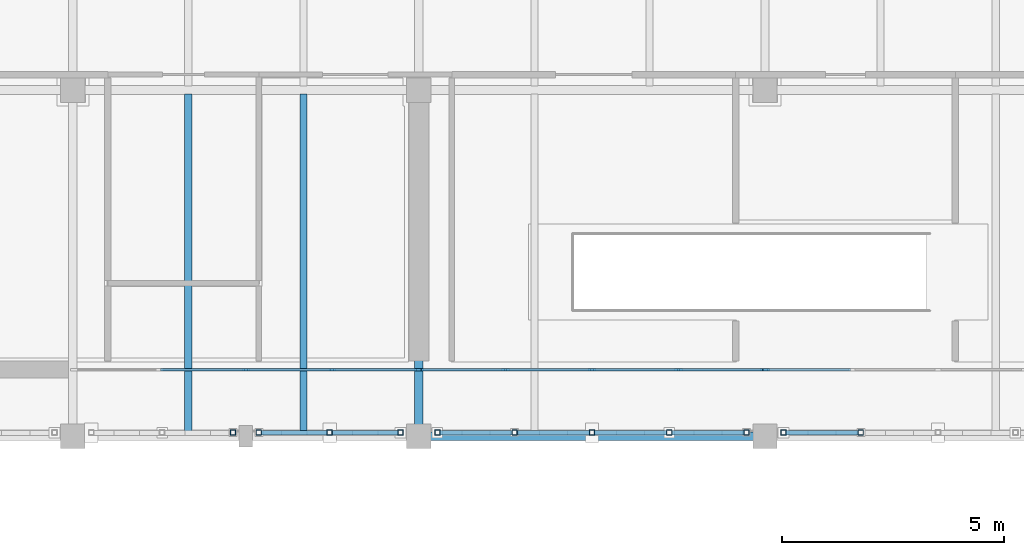
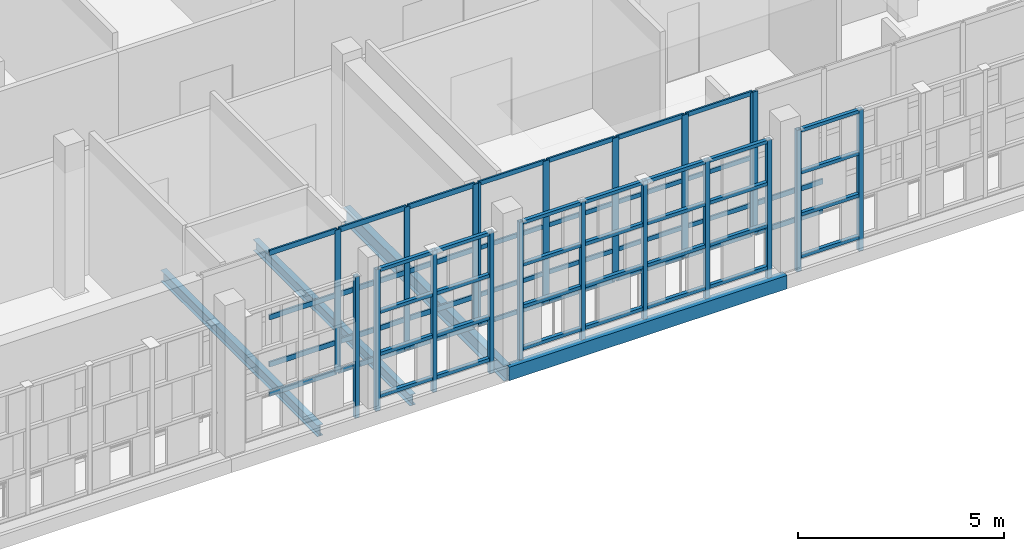
# One storey, part 56 of 119: 78 members, 4 beams, 3 elements without a shape of their own.
"""IFC4 building model written with IfcOpenShell, lengths in metres."""

from ifc_helpers import new_model, si_unit, direction, frame, origin, origin_2d, place, context, subcontext, project, spatial, rectangle, hollow_rectangle, i_section, extrude, material, layer, layer_set, material_profile, profile_set, type_object, element, aggregate, save


model = new_model("IFC4")

# Units and contexts
model_context = context("Model", 3, precision=1e-05, world=origin(), true_north=direction((0.0, 1.0)))
body_context = subcontext(model_context, "Body", "Model", "MODEL_VIEW")
ifc_project = project(units=[si_unit("LENGTHUNIT", "METRE"), si_unit("AREAUNIT", "SQUARE_METRE"), si_unit("VOLUMEUNIT", "CUBIC_METRE"), si_unit("PLANEANGLEUNIT", "RADIAN"), si_unit("MASSUNIT", "GRAM", prefix="KILO")], contexts=[model_context])

# Site, building, storey
site_placement = place(None, origin())
site = spatial("IfcSite", under=ifc_project, at=site_placement, CompositionType="ELEMENT")
building_placement = place(site_placement, origin())
building = spatial("IfcBuilding", under=site, at=building_placement, Name="Celorna Specialist Clinic", CompositionType="ELEMENT")
storey_placement = place(building_placement, frame((0.0, 0.0, 9.60009765625)))
storey = spatial("IfcBuildingStorey", under=building, at=storey_placement, Name="L02", CompositionType="ELEMENT", Elevation=9.60009765625)

# Beams
ifc_material_1 = material(Name="Steel S355", Category="steel")
ifc_material_profile_1 = material_profile(ifc_material_1, i_section(OverallWidth=0.18994140625, OverallDepth=0.449951171875, WebThickness=0.009521484375, FlangeThickness=0.0146484375, at=origin_2d()), Name="IPE 450")
ifc_profile_set_1 = profile_set([ifc_material_profile_1], Name="Steel S355")
beam_type_1 = type_object("IfcBeamType", Name="BM-09", PredefinedType="BEAM", material=ifc_profile_set_1)
beam_1_placement = place(storey_placement, frame((101.39990234375, 96.5, -0.485107421875), z_axis=(0.0, 1.0, 0.0), x_axis=(-1.0, 0.0, 0.0)))
element("IfcBeam", 1, at=beam_1_placement, inside=storey, type_object=beam_type_1, Name="Transverse girder BM-09 #1131", PredefinedType="BEAM", context=body_context, shape_type="SweptSolid", body=[
    extrude(i_section(OverallWidth=0.18994140625, OverallDepth=0.449951171875, WebThickness=0.009521484375, FlangeThickness=0.0146484375, at=origin_2d()), origin(), (0.0, 0.0, 1.0), 7.800048828125),
])
ifc_material_profile_2 = material_profile(ifc_material_1, i_section(OverallWidth=0.159912109375, OverallDepth=0.330078125, WebThickness=0.007568359375, FlangeThickness=0.011474609375, at=origin_2d()), Name="IPE 330")
ifc_profile_set_2 = profile_set([ifc_material_profile_2], Name="Steel S355")
beam_type_2 = type_object("IfcBeamType", Name="BM-12", PredefinedType="JOIST", material=ifc_profile_set_2)
for number, where, z_axis, x_axis, name in (
    (2, (96.199951171875, 96.587890625, -0.425048828125), (0.0, 1.0, 0.0), (-1.0, 0.0, 0.0), "Secondary floor joist BM-12 #1177"),
    (3, (98.800048828125, 96.587890625, -0.425048828125), (0.0, 1.0, 0.0), (-1.0, 0.0, 0.0), "Secondary floor joist BM-12 #1178"),
):
    element("IfcBeam", number, at=place(storey_placement, frame(where, z_axis=z_axis, x_axis=x_axis)), inside=storey, type_object=beam_type_2, Name=name, PredefinedType="JOIST", context=body_context, shape_type="SweptSolid", body=[
        extrude(i_section(OverallWidth=0.159912109375, OverallDepth=0.330078125, WebThickness=0.007568359375, FlangeThickness=0.011474609375, at=origin_2d()), origin(), (0.0, 0.0, 1.0), 7.6240234375),
    ])
ifc_material_profile_3 = material_profile(ifc_material_1, hollow_rectangle(XDim=0.199951171875, YDim=0.39990234375, WallThickness=0.011962890625, at=origin_2d()), Name="RHS 200x400x12")
ifc_profile_set_3 = profile_set([ifc_material_profile_3], Name="Steel S355")
beam_type_3 = type_object("IfcBeamType", Name="BM-15", PredefinedType="SPANDREL", material=ifc_profile_set_3)
beam_2_placement = place(storey_placement, frame((101.39990234375, 96.5, -0.460205078125), z_axis=(1.0, 0.0, 0.0), x_axis=(0.0, 1.0, 0.0)))
element("IfcBeam", 4, at=beam_2_placement, inside=storey, type_object=beam_type_3, Name="Spandrel beam BM-15 #1073", PredefinedType="SPANDREL", context=body_context, shape_type="SweptSolid", body=[
    extrude(hollow_rectangle(XDim=0.199951171875, YDim=0.39990234375, WallThickness=0.011962890625, at=origin_2d()), origin(), (0.0, 0.0, 1.0), 7.800048828125),
])

# Members
ifc_material_profile_4 = material_profile(ifc_material_1, hollow_rectangle(XDim=0.1201171875, YDim=0.1201171875, WallThickness=0.008056640625, at=origin_2d()), Name="SHS 120x120x8")
ifc_profile_set_4 = profile_set([ifc_material_profile_4], Name="Steel S355")
member_type_1 = type_object("IfcMemberType", Name="MB-11", PredefinedType="STUD", material=ifc_profile_set_4)
for number, where, z_axis, x_axis, name in (
    (5, (97.2099609375, 96.580078125, -0.360107421875), (0.0, 0.0, 1.0), (1.0, 0.0, 0.0), "Perforated screen steel post #1125"),
    (6, (97.7900390625, 96.580078125, -0.360107421875), (0.0, 0.0, 1.0), (1.0, 0.0, 0.0), "Perforated screen steel post #1134"),
    (7, (99.387451171875, 96.580078125, -0.360107421875), (0.0, 0.0, 1.0), (1.0, 0.0, 0.0), "Perforated screen steel post #1135"),
    (8, (100.985107421875, 96.580078125, -0.360107421875), (0.0, 0.0, 1.0), (1.0, 0.0, 0.0), "Perforated screen steel post #1136"),
    (9, (101.81494140625, 96.580078125, -0.360107421875), (0.0, 0.0, 1.0), (1.0, 0.0, 0.0), "Perforated screen steel post #1145"),
    (10, (103.5576171875, 96.580078125, -0.360107421875), (0.0, 0.0, 1.0), (1.0, 0.0, 0.0), "Perforated screen steel post #1146"),
    (11, (105.300048828125, 96.580078125, -0.360107421875), (0.0, 0.0, 1.0), (1.0, 0.0, 0.0), "Perforated screen steel post #1147"),
    (12, (107.04248046875, 96.580078125, -0.360107421875), (0.0, 0.0, 1.0), (1.0, 0.0, 0.0), "Perforated screen steel post #1148"),
    (13, (108.784912109375, 96.580078125, -0.360107421875), (0.0, 0.0, 1.0), (1.0, 0.0, 0.0), "Perforated screen steel post #1149"),
    (14, (109.614990234375, 96.580078125, -0.360107421875), (0.0, 0.0, 1.0), (1.0, 0.0, 0.0), "Perforated screen steel post #1166"),
    (15, (111.357421875, 96.580078125, -0.360107421875), (0.0, 0.0, 1.0), (1.0, 0.0, 0.0), "Perforated screen steel post #1167"),
):
    element("IfcMember", number, at=place(storey_placement, frame(where, z_axis=z_axis, x_axis=x_axis)), inside=storey, type_object=member_type_1, Name=name, PredefinedType="STUD", context=body_context, shape_type="SweptSolid", body=[
        extrude(hollow_rectangle(XDim=0.1201171875, YDim=0.1201171875, WallThickness=0.008056640625, at=origin_2d()), origin(), (0.0, 0.0, 1.0), 4.199951171875),
    ])
ifc_material_profile_5 = material_profile(ifc_material_1, hollow_rectangle(XDim=0.10009765625, YDim=0.10009765625, WallThickness=0.006103515625, at=origin_2d()), Name="SHS 100x100x6")
ifc_profile_set_5 = profile_set([ifc_material_profile_5], Name="Steel S355")
member_type_2 = type_object("IfcMemberType", Name="MB-12", PredefinedType="STUD", material=ifc_profile_set_5)
for number, where, z_axis, x_axis, name in (
    (16, (97.85009765625, 96.580078125, 0.0498046875), (1.0, 0.0, 0.0), (0.0, 1.0, 0.0), "Perforated screen rail #1137"),
    (17, (97.85009765625, 96.580078125, 1.296630859375), (1.0, 0.0, 0.0), (0.0, 1.0, 0.0), "Perforated screen rail #1138"),
    (18, (97.85009765625, 96.580078125, 2.543212890625), (1.0, 0.0, 0.0), (0.0, 1.0, 0.0), "Perforated screen rail #1139"),
    (19, (97.85009765625, 96.580078125, 3.789794921875), (1.0, 0.0, 0.0), (0.0, 1.0, 0.0), "Perforated screen rail #1140"),
):
    element("IfcMember", number, at=place(storey_placement, frame(where, z_axis=z_axis, x_axis=x_axis)), inside=storey, type_object=member_type_2, Name=name, PredefinedType="STUD", context=body_context, shape_type="SweptSolid", body=[
        extrude(hollow_rectangle(XDim=0.10009765625, YDim=0.10009765625, WallThickness=0.006103515625, at=origin_2d()), origin(), (0.0, 0.0, 1.0), 1.477294921875),
    ])
for number, where, z_axis, x_axis, name in (
    (20, (99.447509765625, 96.580078125, 0.0498046875), (1.0, 0.0, 0.0), (0.0, 1.0, 0.0), "Perforated screen rail #1141"),
    (21, (99.447509765625, 96.580078125, 1.296630859375), (1.0, 0.0, 0.0), (0.0, 1.0, 0.0), "Perforated screen rail #1142"),
    (22, (99.447509765625, 96.580078125, 2.543212890625), (1.0, 0.0, 0.0), (0.0, 1.0, 0.0), "Perforated screen rail #1143"),
    (23, (99.447509765625, 96.580078125, 3.789794921875), (1.0, 0.0, 0.0), (0.0, 1.0, 0.0), "Perforated screen rail #1144"),
):
    element("IfcMember", number, at=place(storey_placement, frame(where, z_axis=z_axis, x_axis=x_axis)), inside=storey, type_object=member_type_2, Name=name, PredefinedType="STUD", context=body_context, shape_type="SweptSolid", body=[
        extrude(hollow_rectangle(XDim=0.10009765625, YDim=0.10009765625, WallThickness=0.006103515625, at=origin_2d()), origin(), (0.0, 0.0, 1.0), 1.4775390625),
    ])
for number, where, z_axis, x_axis, name in (
    (24, (101.875, 96.580078125, 0.0498046875), (1.0, 0.0, 0.0), (0.0, 1.0, 0.0), "Perforated screen rail #1150"),
    (25, (101.875, 96.580078125, 1.296630859375), (1.0, 0.0, 0.0), (0.0, 1.0, 0.0), "Perforated screen rail #1151"),
    (26, (101.875, 96.580078125, 2.543212890625), (1.0, 0.0, 0.0), (0.0, 1.0, 0.0), "Perforated screen rail #1152"),
    (27, (101.875, 96.580078125, 3.789794921875), (1.0, 0.0, 0.0), (0.0, 1.0, 0.0), "Perforated screen rail #1153"),
    (28, (103.617431640625, 96.580078125, 0.0498046875), (1.0, 0.0, 0.0), (0.0, 1.0, 0.0), "Perforated screen rail #1154"),
    (29, (103.617431640625, 96.580078125, 1.296630859375), (1.0, 0.0, 0.0), (0.0, 1.0, 0.0), "Perforated screen rail #1155"),
    (30, (103.617431640625, 96.580078125, 2.543212890625), (1.0, 0.0, 0.0), (0.0, 1.0, 0.0), "Perforated screen rail #1156"),
    (31, (103.617431640625, 96.580078125, 3.789794921875), (1.0, 0.0, 0.0), (0.0, 1.0, 0.0), "Perforated screen rail #1157"),
):
    element("IfcMember", number, at=place(storey_placement, frame(where, z_axis=z_axis, x_axis=x_axis)), inside=storey, type_object=member_type_2, Name=name, PredefinedType="STUD", context=body_context, shape_type="SweptSolid", body=[
        extrude(hollow_rectangle(XDim=0.10009765625, YDim=0.10009765625, WallThickness=0.006103515625, at=origin_2d()), origin(), (0.0, 0.0, 1.0), 1.62255859375),
    ])
for number, where, z_axis, x_axis, name in (
    (32, (105.360107421875, 96.580078125, 0.0498046875), (1.0, 0.0, 0.0), (0.0, 1.0, 0.0), "Perforated screen rail #1158"),
    (33, (105.360107421875, 96.580078125, 1.296630859375), (1.0, 0.0, 0.0), (0.0, 1.0, 0.0), "Perforated screen rail #1159"),
    (34, (105.360107421875, 96.580078125, 2.543212890625), (1.0, 0.0, 0.0), (0.0, 1.0, 0.0), "Perforated screen rail #1160"),
    (35, (105.360107421875, 96.580078125, 3.789794921875), (1.0, 0.0, 0.0), (0.0, 1.0, 0.0), "Perforated screen rail #1161"),
):
    element("IfcMember", number, at=place(storey_placement, frame(where, z_axis=z_axis, x_axis=x_axis)), inside=storey, type_object=member_type_2, Name=name, PredefinedType="STUD", context=body_context, shape_type="SweptSolid", body=[
        extrude(hollow_rectangle(XDim=0.10009765625, YDim=0.10009765625, WallThickness=0.006103515625, at=origin_2d()), origin(), (0.0, 0.0, 1.0), 1.622314453125),
    ])
for number, where, z_axis, x_axis, name in (
    (36, (107.1025390625, 96.580078125, 0.0498046875), (1.0, 0.0, 0.0), (0.0, 1.0, 0.0), "Perforated screen rail #1162"),
    (37, (107.1025390625, 96.580078125, 1.296630859375), (1.0, 0.0, 0.0), (0.0, 1.0, 0.0), "Perforated screen rail #1163"),
    (38, (107.1025390625, 96.580078125, 2.543212890625), (1.0, 0.0, 0.0), (0.0, 1.0, 0.0), "Perforated screen rail #1164"),
    (39, (107.1025390625, 96.580078125, 3.789794921875), (1.0, 0.0, 0.0), (0.0, 1.0, 0.0), "Perforated screen rail #1165"),
    (40, (109.675048828125, 96.580078125, 0.0498046875), (1.0, 0.0, 0.0), (0.0, 1.0, 0.0), "Perforated screen rail #1171"),
    (41, (109.675048828125, 96.580078125, 1.296630859375), (1.0, 0.0, 0.0), (0.0, 1.0, 0.0), "Perforated screen rail #1172"),
    (42, (109.675048828125, 96.580078125, 2.543212890625), (1.0, 0.0, 0.0), (0.0, 1.0, 0.0), "Perforated screen rail #1173"),
    (43, (109.675048828125, 96.580078125, 3.789794921875), (1.0, 0.0, 0.0), (0.0, 1.0, 0.0), "Perforated screen rail #1174"),
):
    element("IfcMember", number, at=place(storey_placement, frame(where, z_axis=z_axis, x_axis=x_axis)), inside=storey, type_object=member_type_2, Name=name, PredefinedType="STUD", context=body_context, shape_type="SweptSolid", body=[
        extrude(hollow_rectangle(XDim=0.10009765625, YDim=0.10009765625, WallThickness=0.006103515625, at=origin_2d()), origin(), (0.0, 0.0, 1.0), 1.62255859375),
    ])

# Curtain wall, members
ifc_material_2 = material(Name="Thermally broken aluminium and solar-control glass curtain wall", Category="aluminium")
ifc_layer_1 = layer(ifc_material_2, 0.159912109375, Name="Thermally broken aluminium and solar-control glass curtain wall")
ifc_layer_set_1 = layer_set([ifc_layer_1], Name="Thermally broken aluminium and solar-control glass curtain wall")
curtain_wall_type_1 = type_object("IfcCurtainWallType", Name="CW-68", PredefinedType="NOTDEFINED", material=ifc_layer_set_1)
curtain_wall_1_placement = place(storey_placement, origin())
curtain_wall_1 = element("IfcCurtainWall", 44, at=curtain_wall_1_placement, inside=storey, type_object=curtain_wall_type_1, Name="Curtain wall CW-68 #125", PredefinedType="NOTDEFINED")
ifc_material_3 = material(Name="Anodized aluminium mullion", Category="aluminium")
ifc_material_profile_6 = material_profile(ifc_material_3, rectangle(XDim=0.050048828125, YDim=0.159912109375, at=origin_2d()), Name="ALU MULLION 50x160")
ifc_profile_set_6 = profile_set([ifc_material_profile_6], Name="Anodized aluminium mullion")
member_type_3 = type_object("IfcMemberType", Name="ML-01", PredefinedType="MULLION", material=ifc_profile_set_6)
member_1_placement = place(storey_placement, frame((101.37109375, 98.0, 0.0), z_axis=(0.0, 0.0, 1.0), x_axis=(0.0, -1.0, 0.0)))
member_1 = element("IfcMember", 45, at=member_1_placement, type_object=member_type_3, Name="CW-68 mullion 1", PredefinedType="MULLION", context=body_context, shape_type="SweptSolid", body=[
    extrude(rectangle(XDim=0.050048828125, YDim=0.159912109375, at=origin_2d()), origin(), (0.0, 0.0, 1.0), 4.239990234375),
])
member_2_placement = place(storey_placement, frame((99.447998046875, 98.0, 0.0), z_axis=(0.0, 0.0, 1.0), x_axis=(0.0, -1.0, 0.0)))
member_2 = element("IfcMember", 46, at=member_2_placement, type_object=member_type_3, Name="CW-68 mullion 2", PredefinedType="MULLION", context=body_context, shape_type="SweptSolid", body=[
    extrude(rectangle(XDim=0.050048828125, YDim=0.159912109375, at=origin_2d()), origin(), (0.0, 0.0, 1.0), 4.239990234375),
])
member_3_placement = place(storey_placement, frame((97.5, 98.0, 0.0), z_axis=(0.0, 0.0, 1.0), x_axis=(0.0, -1.0, 0.0)))
member_3 = element("IfcMember", 47, at=member_3_placement, type_object=member_type_3, Name="CW-68 mullion 3", PredefinedType="MULLION", context=body_context, shape_type="SweptSolid", body=[
    extrude(rectangle(XDim=0.050048828125, YDim=0.159912109375, at=origin_2d()), origin(), (0.0, 0.0, 1.0), 4.239990234375),
])

ifc_layer_2 = layer(ifc_material_2, 0.159912109375, Name="Thermally broken aluminium and solar-control glass curtain wall")
ifc_layer_set_2 = layer_set([ifc_layer_2], Name="Thermally broken aluminium and solar-control glass curtain wall")
curtain_wall_type_2 = type_object("IfcCurtainWallType", Name="CW-67", PredefinedType="NOTDEFINED", material=ifc_layer_set_2)
curtain_wall_2_placement = place(storey_placement, origin())
curtain_wall_2 = element("IfcCurtainWall", 48, at=curtain_wall_2_placement, inside=storey, type_object=curtain_wall_type_2, Name="Curtain wall CW-67 #126", PredefinedType="NOTDEFINED")
ifc_material_profile_7 = material_profile(ifc_material_3, rectangle(XDim=0.050048828125, YDim=0.179931640625, at=origin_2d()), Name="ALU MULLION 50x180")
ifc_profile_set_7 = profile_set([ifc_material_profile_7], Name="Anodized aluminium mullion")
member_type_4 = type_object("IfcMemberType", Name="ML-02", PredefinedType="MULLION", material=ifc_profile_set_7)
member_4_placement = place(storey_placement, frame((109.1708984375, 98.0, 0.0), z_axis=(0.0, 0.0, 1.0), x_axis=(0.0, -1.0, 0.0)))
member_4 = element("IfcMember", 49, at=member_4_placement, type_object=member_type_4, Name="CW-67 mullion 1", PredefinedType="MULLION", context=body_context, shape_type="SweptSolid", body=[
    extrude(rectangle(XDim=0.050048828125, YDim=0.179931640625, at=origin_2d()), origin(), (0.0, 0.0, 1.0), 4.239990234375),
])
member_5_placement = place(storey_placement, frame((107.248046875, 98.0, 0.0), z_axis=(0.0, 0.0, 1.0), x_axis=(0.0, -1.0, 0.0)))
member_5 = element("IfcMember", 50, at=member_5_placement, type_object=member_type_4, Name="CW-67 mullion 2", PredefinedType="MULLION", context=body_context, shape_type="SweptSolid", body=[
    extrude(rectangle(XDim=0.050048828125, YDim=0.179931640625, at=origin_2d()), origin(), (0.0, 0.0, 1.0), 4.239990234375),
])
member_6_placement = place(storey_placement, frame((105.300048828125, 98.0, 0.0), z_axis=(0.0, 0.0, 1.0), x_axis=(0.0, -1.0, 0.0)))
member_6 = element("IfcMember", 51, at=member_6_placement, type_object=member_type_4, Name="CW-67 mullion 3", PredefinedType="MULLION", context=body_context, shape_type="SweptSolid", body=[
    extrude(rectangle(XDim=0.050048828125, YDim=0.179931640625, at=origin_2d()), origin(), (0.0, 0.0, 1.0), 4.239990234375),
])
member_7_placement = place(storey_placement, frame((103.35205078125, 98.0, 0.0), z_axis=(0.0, 0.0, 1.0), x_axis=(0.0, -1.0, 0.0)))
member_7 = element("IfcMember", 52, at=member_7_placement, type_object=member_type_4, Name="CW-67 mullion 4", PredefinedType="MULLION", context=body_context, shape_type="SweptSolid", body=[
    extrude(rectangle(XDim=0.050048828125, YDim=0.179931640625, at=origin_2d()), origin(), (0.0, 0.0, 1.0), 4.239990234375),
])
member_8_placement = place(storey_placement, frame((101.428955078125, 98.0, 0.0), z_axis=(0.0, 0.0, 1.0), x_axis=(0.0, -1.0, 0.0)))
member_8 = element("IfcMember", 53, at=member_8_placement, type_object=member_type_4, Name="CW-67 mullion 5", PredefinedType="MULLION", context=body_context, shape_type="SweptSolid", body=[
    extrude(rectangle(XDim=0.050048828125, YDim=0.179931640625, at=origin_2d()), origin(), (0.0, 0.0, 1.0), 4.239990234375),
])

# Curtain wall, member
ifc_layer_3 = layer(ifc_material_2, 0.159912109375, Name="Thermally broken aluminium and solar-control glass curtain wall")
ifc_layer_set_3 = layer_set([ifc_layer_3], Name="Thermally broken aluminium and solar-control glass curtain wall")
curtain_wall_type_3 = type_object("IfcCurtainWallType", Name="CW-32", PredefinedType="NOTDEFINED", material=ifc_layer_set_3)
curtain_wall_3_placement = place(storey_placement, origin())
curtain_wall_3 = element("IfcCurtainWall", 54, at=curtain_wall_3_placement, inside=storey, type_object=curtain_wall_type_3, Name="Curtain wall CW-32 #127", PredefinedType="NOTDEFINED")
ifc_material_profile_8 = material_profile(ifc_material_3, rectangle(XDim=0.050048828125, YDim=0.139892578125, at=origin_2d()), Name="ALU MULLION 50x140")
ifc_profile_set_8 = profile_set([ifc_material_profile_8], Name="Anodized aluminium mullion")
member_type_5 = type_object("IfcMemberType", Name="ML-03", PredefinedType="MULLION", material=ifc_profile_set_8)
member_9_placement = place(storey_placement, frame((109.22900390625, 98.0, 0.0), z_axis=(0.0, 0.0, 1.0), x_axis=(0.0, -1.0, 0.0)))
member_9 = element("IfcMember", 55, at=member_9_placement, type_object=member_type_5, Name="CW-32 mullion 5", PredefinedType="MULLION", context=body_context, shape_type="SweptSolid", body=[
    extrude(rectangle(XDim=0.050048828125, YDim=0.139892578125, at=origin_2d()), origin(), (0.0, 0.0, 1.0), 4.239990234375),
])

# Member
ifc_material_4 = material(Name="Anodized aluminium transom", Category="aluminium")
ifc_material_profile_9 = material_profile(ifc_material_4, rectangle(XDim=0.050048828125, YDim=0.1298828125, at=origin_2d()), Name="ALU TRANSOM 50x130")
ifc_profile_set_9 = profile_set([ifc_material_profile_9], Name="Anodized aluminium transom")
member_type_6 = type_object("IfcMemberType", Name="TR-01", PredefinedType="USERDEFINED", material=ifc_profile_set_9)
member_10_placement = place(storey_placement, frame((109.14599609375, 98.0, 0.02490234375), z_axis=(-1.0, 0.0, 0.0), x_axis=(0.0, -1.0, 0.0)))
member_10 = element("IfcMember", 56, at=member_10_placement, type_object=member_type_6, Name="CW-67 transom 1.1", ObjectType="TRANSOM", PredefinedType="USERDEFINED", context=body_context, shape_type="SweptSolid", body=[
    extrude(rectangle(XDim=0.050048828125, YDim=0.1298828125, at=origin_2d()), origin(), (0.0, 0.0, 1.0), 1.873046875),
])

member_11_placement = place(storey_placement, frame((109.14599609375, 98.0, 0.89990234375), z_axis=(-1.0, 0.0, 0.0), x_axis=(0.0, -1.0, 0.0)))
member_11 = element("IfcMember", 57, at=member_11_placement, type_object=member_type_6, Name="CW-67 transom 1.2", ObjectType="TRANSOM", PredefinedType="USERDEFINED", context=body_context, shape_type="SweptSolid", body=[
    extrude(rectangle(XDim=0.050048828125, YDim=0.1298828125, at=origin_2d()), origin(), (0.0, 0.0, 1.0), 1.873046875),
])

member_12_placement = place(storey_placement, frame((109.14599609375, 98.0, 2.2998046875), z_axis=(-1.0, 0.0, 0.0), x_axis=(0.0, -1.0, 0.0)))
member_12 = element("IfcMember", 58, at=member_12_placement, type_object=member_type_6, Name="CW-67 transom 1.3", ObjectType="TRANSOM", PredefinedType="USERDEFINED", context=body_context, shape_type="SweptSolid", body=[
    extrude(rectangle(XDim=0.050048828125, YDim=0.1298828125, at=origin_2d()), origin(), (0.0, 0.0, 1.0), 1.873046875),
])

member_13_placement = place(storey_placement, frame((109.14599609375, 98.0, 4.21484375), z_axis=(-1.0, 0.0, 0.0), x_axis=(0.0, -1.0, 0.0)))
member_13 = element("IfcMember", 59, at=member_13_placement, type_object=member_type_6, Name="CW-67 transom 1.4", ObjectType="TRANSOM", PredefinedType="USERDEFINED", context=body_context, shape_type="SweptSolid", body=[
    extrude(rectangle(XDim=0.050048828125, YDim=0.1298828125, at=origin_2d()), origin(), (0.0, 0.0, 1.0), 1.873046875),
])

member_14_placement = place(storey_placement, frame((107.222900390625, 98.0, 0.02490234375), z_axis=(-1.0, 0.0, 0.0), x_axis=(0.0, -1.0, 0.0)))
member_14 = element("IfcMember", 60, at=member_14_placement, type_object=member_type_6, Name="CW-67 transom 2.1", ObjectType="TRANSOM", PredefinedType="USERDEFINED", context=body_context, shape_type="SweptSolid", body=[
    extrude(rectangle(XDim=0.050048828125, YDim=0.1298828125, at=origin_2d()), origin(), (0.0, 0.0, 1.0), 1.89794921875),
])

member_15_placement = place(storey_placement, frame((107.222900390625, 98.0, 0.89990234375), z_axis=(-1.0, 0.0, 0.0), x_axis=(0.0, -1.0, 0.0)))
member_15 = element("IfcMember", 61, at=member_15_placement, type_object=member_type_6, Name="CW-67 transom 2.2", ObjectType="TRANSOM", PredefinedType="USERDEFINED", context=body_context, shape_type="SweptSolid", body=[
    extrude(rectangle(XDim=0.050048828125, YDim=0.1298828125, at=origin_2d()), origin(), (0.0, 0.0, 1.0), 1.89794921875),
])

member_16_placement = place(storey_placement, frame((107.222900390625, 98.0, 2.2998046875), z_axis=(-1.0, 0.0, 0.0), x_axis=(0.0, -1.0, 0.0)))
member_16 = element("IfcMember", 62, at=member_16_placement, type_object=member_type_6, Name="CW-67 transom 2.3", ObjectType="TRANSOM", PredefinedType="USERDEFINED", context=body_context, shape_type="SweptSolid", body=[
    extrude(rectangle(XDim=0.050048828125, YDim=0.1298828125, at=origin_2d()), origin(), (0.0, 0.0, 1.0), 1.89794921875),
])

member_17_placement = place(storey_placement, frame((107.222900390625, 98.0, 4.21484375), z_axis=(-1.0, 0.0, 0.0), x_axis=(0.0, -1.0, 0.0)))
member_17 = element("IfcMember", 63, at=member_17_placement, type_object=member_type_6, Name="CW-67 transom 2.4", ObjectType="TRANSOM", PredefinedType="USERDEFINED", context=body_context, shape_type="SweptSolid", body=[
    extrude(rectangle(XDim=0.050048828125, YDim=0.1298828125, at=origin_2d()), origin(), (0.0, 0.0, 1.0), 1.89794921875),
])

member_18_placement = place(storey_placement, frame((105.27490234375, 98.0, 0.02490234375), z_axis=(-1.0, 0.0, 0.0), x_axis=(0.0, -1.0, 0.0)))
member_18 = element("IfcMember", 64, at=member_18_placement, type_object=member_type_6, Name="CW-67 transom 3.1", ObjectType="TRANSOM", PredefinedType="USERDEFINED", context=body_context, shape_type="SweptSolid", body=[
    extrude(rectangle(XDim=0.050048828125, YDim=0.1298828125, at=origin_2d()), origin(), (0.0, 0.0, 1.0), 1.89794921875),
])

member_19_placement = place(storey_placement, frame((105.27490234375, 98.0, 0.89990234375), z_axis=(-1.0, 0.0, 0.0), x_axis=(0.0, -1.0, 0.0)))
member_19 = element("IfcMember", 65, at=member_19_placement, type_object=member_type_6, Name="CW-67 transom 3.2", ObjectType="TRANSOM", PredefinedType="USERDEFINED", context=body_context, shape_type="SweptSolid", body=[
    extrude(rectangle(XDim=0.050048828125, YDim=0.1298828125, at=origin_2d()), origin(), (0.0, 0.0, 1.0), 1.89794921875),
])

member_20_placement = place(storey_placement, frame((105.27490234375, 98.0, 2.2998046875), z_axis=(-1.0, 0.0, 0.0), x_axis=(0.0, -1.0, 0.0)))
member_20 = element("IfcMember", 66, at=member_20_placement, type_object=member_type_6, Name="CW-67 transom 3.3", ObjectType="TRANSOM", PredefinedType="USERDEFINED", context=body_context, shape_type="SweptSolid", body=[
    extrude(rectangle(XDim=0.050048828125, YDim=0.1298828125, at=origin_2d()), origin(), (0.0, 0.0, 1.0), 1.89794921875),
])

member_21_placement = place(storey_placement, frame((105.27490234375, 98.0, 4.21484375), z_axis=(-1.0, 0.0, 0.0), x_axis=(0.0, -1.0, 0.0)))
member_21 = element("IfcMember", 67, at=member_21_placement, type_object=member_type_6, Name="CW-67 transom 3.4", ObjectType="TRANSOM", PredefinedType="USERDEFINED", context=body_context, shape_type="SweptSolid", body=[
    extrude(rectangle(XDim=0.050048828125, YDim=0.1298828125, at=origin_2d()), origin(), (0.0, 0.0, 1.0), 1.89794921875),
])

member_22_placement = place(storey_placement, frame((103.326904296875, 98.0, 0.02490234375), z_axis=(-1.0, 0.0, 0.0), x_axis=(0.0, -1.0, 0.0)))
member_22 = element("IfcMember", 68, at=member_22_placement, type_object=member_type_6, Name="CW-67 transom 4.1", ObjectType="TRANSOM", PredefinedType="USERDEFINED", context=body_context, shape_type="SweptSolid", body=[
    extrude(rectangle(XDim=0.050048828125, YDim=0.1298828125, at=origin_2d()), origin(), (0.0, 0.0, 1.0), 1.872802734375),
])

member_23_placement = place(storey_placement, frame((103.326904296875, 98.0, 0.89990234375), z_axis=(-1.0, 0.0, 0.0), x_axis=(0.0, -1.0, 0.0)))
member_23 = element("IfcMember", 69, at=member_23_placement, type_object=member_type_6, Name="CW-67 transom 4.2", ObjectType="TRANSOM", PredefinedType="USERDEFINED", context=body_context, shape_type="SweptSolid", body=[
    extrude(rectangle(XDim=0.050048828125, YDim=0.1298828125, at=origin_2d()), origin(), (0.0, 0.0, 1.0), 1.872802734375),
])

member_24_placement = place(storey_placement, frame((103.326904296875, 98.0, 2.2998046875), z_axis=(-1.0, 0.0, 0.0), x_axis=(0.0, -1.0, 0.0)))
member_24 = element("IfcMember", 70, at=member_24_placement, type_object=member_type_6, Name="CW-67 transom 4.3", ObjectType="TRANSOM", PredefinedType="USERDEFINED", context=body_context, shape_type="SweptSolid", body=[
    extrude(rectangle(XDim=0.050048828125, YDim=0.1298828125, at=origin_2d()), origin(), (0.0, 0.0, 1.0), 1.872802734375),
])

member_25_placement = place(storey_placement, frame((103.326904296875, 98.0, 4.21484375), z_axis=(-1.0, 0.0, 0.0), x_axis=(0.0, -1.0, 0.0)))
member_25 = element("IfcMember", 71, at=member_25_placement, type_object=member_type_6, Name="CW-67 transom 4.4", ObjectType="TRANSOM", PredefinedType="USERDEFINED", context=body_context, shape_type="SweptSolid", body=[
    extrude(rectangle(XDim=0.050048828125, YDim=0.1298828125, at=origin_2d()), origin(), (0.0, 0.0, 1.0), 1.872802734375),
])

aggregate(curtain_wall_2, [member_4, member_5, member_6, member_7, member_8, member_10, member_11, member_12, member_13, member_14, member_15, member_16, member_17, member_18, member_19, member_20, member_21, member_22, member_23, member_24, member_25])

ifc_material_profile_10 = material_profile(ifc_material_4, rectangle(XDim=0.050048828125, YDim=0.14990234375, at=origin_2d()), Name="ALU TRANSOM 50x150")
ifc_profile_set_10 = profile_set([ifc_material_profile_10], Name="Anodized aluminium transom")
member_type_7 = type_object("IfcMemberType", Name="TR-02", PredefinedType="USERDEFINED", material=ifc_profile_set_10)
member_26_placement = place(storey_placement, frame((101.345947265625, 98.0, 0.02490234375), z_axis=(-1.0, 0.0, 0.0), x_axis=(0.0, -1.0, 0.0)))
member_26 = element("IfcMember", 72, at=member_26_placement, type_object=member_type_7, Name="CW-68 transom 1.1", ObjectType="TRANSOM", PredefinedType="USERDEFINED", context=body_context, shape_type="SweptSolid", body=[
    extrude(rectangle(XDim=0.050048828125, YDim=0.14990234375, at=origin_2d()), origin(), (0.0, 0.0, 1.0), 1.873046875),
])

member_27_placement = place(storey_placement, frame((101.345947265625, 98.0, 0.89990234375), z_axis=(-1.0, 0.0, 0.0), x_axis=(0.0, -1.0, 0.0)))
member_27 = element("IfcMember", 73, at=member_27_placement, type_object=member_type_7, Name="CW-68 transom 1.2", ObjectType="TRANSOM", PredefinedType="USERDEFINED", context=body_context, shape_type="SweptSolid", body=[
    extrude(rectangle(XDim=0.050048828125, YDim=0.14990234375, at=origin_2d()), origin(), (0.0, 0.0, 1.0), 1.873046875),
])

member_28_placement = place(storey_placement, frame((101.345947265625, 98.0, 2.2998046875), z_axis=(-1.0, 0.0, 0.0), x_axis=(0.0, -1.0, 0.0)))
member_28 = element("IfcMember", 74, at=member_28_placement, type_object=member_type_7, Name="CW-68 transom 1.3", ObjectType="TRANSOM", PredefinedType="USERDEFINED", context=body_context, shape_type="SweptSolid", body=[
    extrude(rectangle(XDim=0.050048828125, YDim=0.14990234375, at=origin_2d()), origin(), (0.0, 0.0, 1.0), 1.873046875),
])

member_29_placement = place(storey_placement, frame((101.345947265625, 98.0, 4.21484375), z_axis=(-1.0, 0.0, 0.0), x_axis=(0.0, -1.0, 0.0)))
member_29 = element("IfcMember", 75, at=member_29_placement, type_object=member_type_7, Name="CW-68 transom 1.4", ObjectType="TRANSOM", PredefinedType="USERDEFINED", context=body_context, shape_type="SweptSolid", body=[
    extrude(rectangle(XDim=0.050048828125, YDim=0.14990234375, at=origin_2d()), origin(), (0.0, 0.0, 1.0), 1.873046875),
])

member_30_placement = place(storey_placement, frame((99.423095703125, 98.0, 0.02490234375), z_axis=(-1.0, 0.0, 0.0), x_axis=(0.0, -1.0, 0.0)))
member_30 = element("IfcMember", 76, at=member_30_placement, type_object=member_type_7, Name="CW-68 transom 2.1", ObjectType="TRANSOM", PredefinedType="USERDEFINED", context=body_context, shape_type="SweptSolid", body=[
    extrude(rectangle(XDim=0.050048828125, YDim=0.14990234375, at=origin_2d()), origin(), (0.0, 0.0, 1.0), 1.898193359375),
])

member_31_placement = place(storey_placement, frame((99.423095703125, 98.0, 0.89990234375), z_axis=(-1.0, 0.0, 0.0), x_axis=(0.0, -1.0, 0.0)))
member_31 = element("IfcMember", 77, at=member_31_placement, type_object=member_type_7, Name="CW-68 transom 2.2", ObjectType="TRANSOM", PredefinedType="USERDEFINED", context=body_context, shape_type="SweptSolid", body=[
    extrude(rectangle(XDim=0.050048828125, YDim=0.14990234375, at=origin_2d()), origin(), (0.0, 0.0, 1.0), 1.898193359375),
])

member_32_placement = place(storey_placement, frame((99.423095703125, 98.0, 2.2998046875), z_axis=(-1.0, 0.0, 0.0), x_axis=(0.0, -1.0, 0.0)))
member_32 = element("IfcMember", 78, at=member_32_placement, type_object=member_type_7, Name="CW-68 transom 2.3", ObjectType="TRANSOM", PredefinedType="USERDEFINED", context=body_context, shape_type="SweptSolid", body=[
    extrude(rectangle(XDim=0.050048828125, YDim=0.14990234375, at=origin_2d()), origin(), (0.0, 0.0, 1.0), 1.898193359375),
])

member_33_placement = place(storey_placement, frame((99.423095703125, 98.0, 4.21484375), z_axis=(-1.0, 0.0, 0.0), x_axis=(0.0, -1.0, 0.0)))
member_33 = element("IfcMember", 79, at=member_33_placement, type_object=member_type_7, Name="CW-68 transom 2.4", ObjectType="TRANSOM", PredefinedType="USERDEFINED", context=body_context, shape_type="SweptSolid", body=[
    extrude(rectangle(XDim=0.050048828125, YDim=0.14990234375, at=origin_2d()), origin(), (0.0, 0.0, 1.0), 1.898193359375),
])

member_34_placement = place(storey_placement, frame((97.47509765625, 98.0, 0.02490234375), z_axis=(-1.0, 0.0, 0.0), x_axis=(0.0, -1.0, 0.0)))
member_34 = element("IfcMember", 80, at=member_34_placement, type_object=member_type_7, Name="CW-68 transom 3.1", ObjectType="TRANSOM", PredefinedType="USERDEFINED", context=body_context, shape_type="SweptSolid", body=[
    extrude(rectangle(XDim=0.050048828125, YDim=0.14990234375, at=origin_2d()), origin(), (0.0, 0.0, 1.0), 1.898193359375),
])

member_35_placement = place(storey_placement, frame((97.47509765625, 98.0, 0.89990234375), z_axis=(-1.0, 0.0, 0.0), x_axis=(0.0, -1.0, 0.0)))
member_35 = element("IfcMember", 81, at=member_35_placement, type_object=member_type_7, Name="CW-68 transom 3.2", ObjectType="TRANSOM", PredefinedType="USERDEFINED", context=body_context, shape_type="SweptSolid", body=[
    extrude(rectangle(XDim=0.050048828125, YDim=0.14990234375, at=origin_2d()), origin(), (0.0, 0.0, 1.0), 1.898193359375),
])

member_36_placement = place(storey_placement, frame((97.47509765625, 98.0, 2.2998046875), z_axis=(-1.0, 0.0, 0.0), x_axis=(0.0, -1.0, 0.0)))
member_36 = element("IfcMember", 82, at=member_36_placement, type_object=member_type_7, Name="CW-68 transom 3.3", ObjectType="TRANSOM", PredefinedType="USERDEFINED", context=body_context, shape_type="SweptSolid", body=[
    extrude(rectangle(XDim=0.050048828125, YDim=0.14990234375, at=origin_2d()), origin(), (0.0, 0.0, 1.0), 1.898193359375),
])

member_37_placement = place(storey_placement, frame((97.47509765625, 98.0, 4.21484375), z_axis=(-1.0, 0.0, 0.0), x_axis=(0.0, -1.0, 0.0)))
member_37 = element("IfcMember", 83, at=member_37_placement, type_object=member_type_7, Name="CW-68 transom 3.4", ObjectType="TRANSOM", PredefinedType="USERDEFINED", context=body_context, shape_type="SweptSolid", body=[
    extrude(rectangle(XDim=0.050048828125, YDim=0.14990234375, at=origin_2d()), origin(), (0.0, 0.0, 1.0), 1.898193359375),
])

aggregate(curtain_wall_1, [member_1, member_2, member_3, member_26, member_27, member_28, member_29, member_30, member_31, member_32, member_33, member_34, member_35, member_36, member_37])

member_38_placement = place(storey_placement, frame((111.126953125, 98.0, 0.02490234375), z_axis=(-1.0, 0.0, 0.0), x_axis=(0.0, -1.0, 0.0)))
member_38 = element("IfcMember", 84, at=member_38_placement, type_object=member_type_7, Name="CW-32 transom 4.1", ObjectType="TRANSOM", PredefinedType="USERDEFINED", context=body_context, shape_type="SweptSolid", body=[
    extrude(rectangle(XDim=0.050048828125, YDim=0.14990234375, at=origin_2d()), origin(), (0.0, 0.0, 1.0), 1.873046875),
])

member_39_placement = place(storey_placement, frame((111.126953125, 98.0, 0.89990234375), z_axis=(-1.0, 0.0, 0.0), x_axis=(0.0, -1.0, 0.0)))
member_39 = element("IfcMember", 85, at=member_39_placement, type_object=member_type_7, Name="CW-32 transom 4.2", ObjectType="TRANSOM", PredefinedType="USERDEFINED", context=body_context, shape_type="SweptSolid", body=[
    extrude(rectangle(XDim=0.050048828125, YDim=0.14990234375, at=origin_2d()), origin(), (0.0, 0.0, 1.0), 1.873046875),
])

aggregate(curtain_wall_3, [member_9, member_38, member_39])

save(model, "model.ifc")
